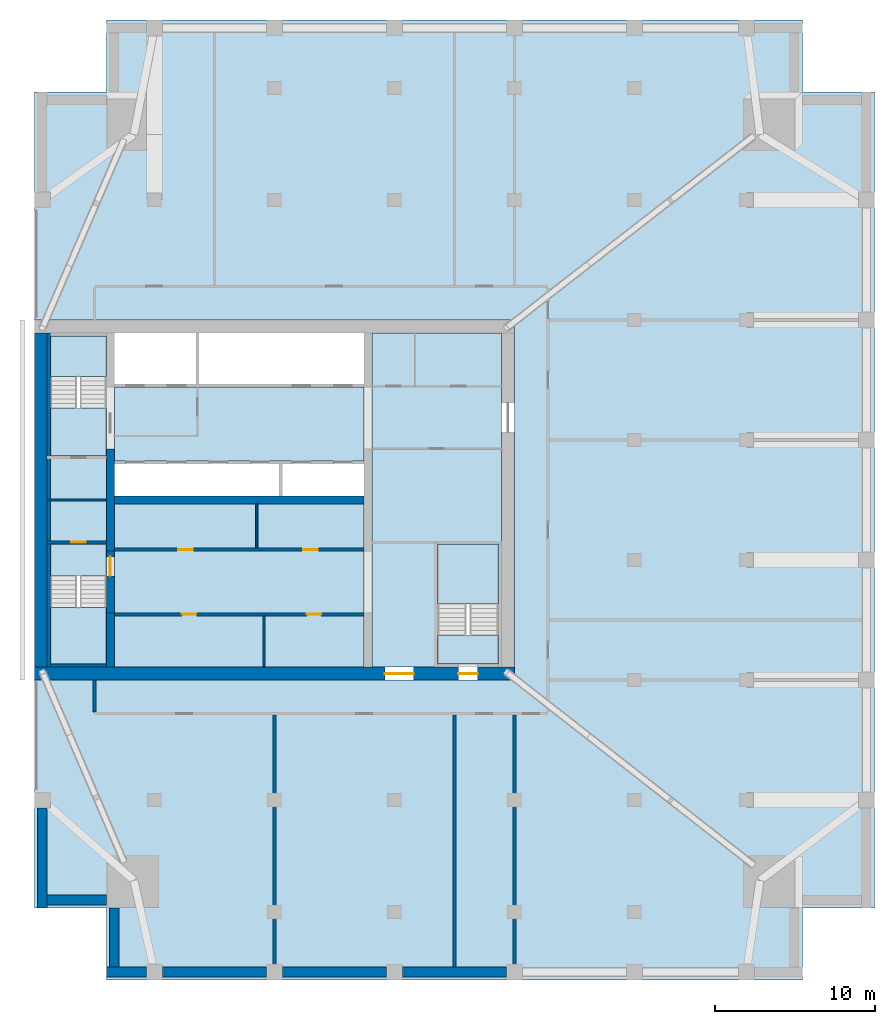
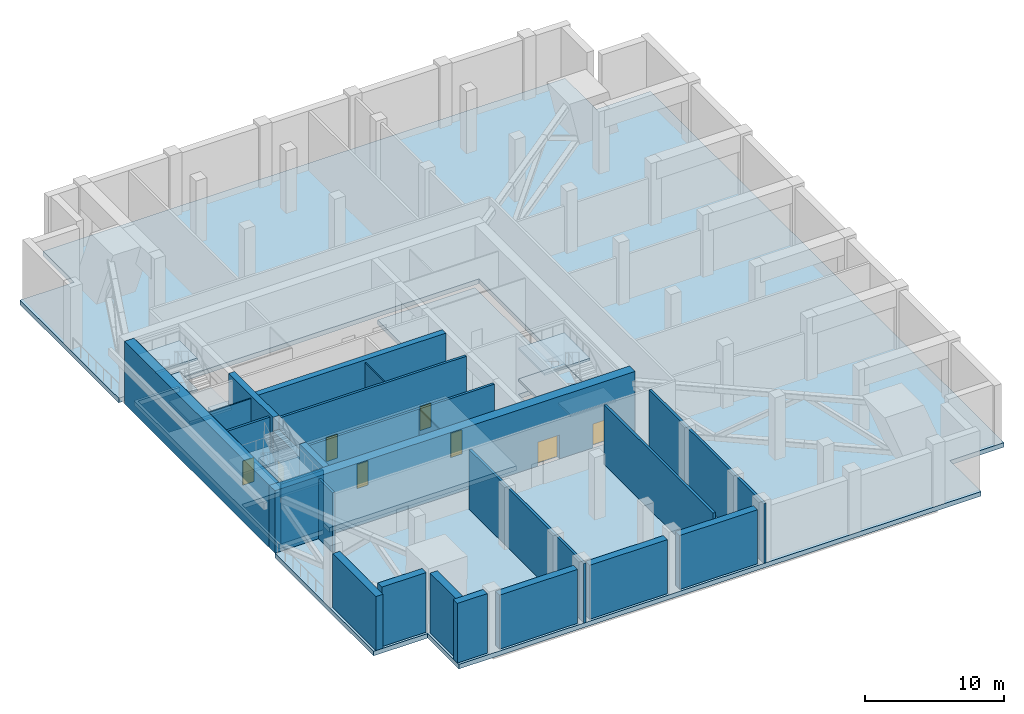
# One storey, part 2 of 9: 25 walls, 13 slabs, 8 doors, 8 openings, 3 elements without a shape of their own.
"""IFC4 building model written with IfcOpenShell, lengths in metres."""

from ifc_helpers import new_model, si_unit, direction, frame, frame_2d, origin, place, context, subcontext, project, spatial, polyline, rectangle, outline, extrude, material, layer, layer_set, type_object, element, fill, aggregate, save


model = new_model("IFC4")

# Units and contexts
model_context = context("Model", 3, precision=1e-05, world=origin(), true_north=direction((0.0, 1.0)))
body_context = subcontext(model_context, "Body", "Model", "MODEL_VIEW")
ifc_project = project(units=[si_unit("LENGTHUNIT", "METRE"), si_unit("AREAUNIT", "SQUARE_METRE"), si_unit("VOLUMEUNIT", "CUBIC_METRE"), si_unit("PLANEANGLEUNIT", "RADIAN"), si_unit("MASSUNIT", "GRAM", prefix="KILO")], contexts=[model_context])

# Site, building, storey
site_placement = place(None, origin())
site = spatial("IfcSite", under=ifc_project, at=site_placement, CompositionType="ELEMENT")
building_placement = place(site_placement, origin())
building = spatial("IfcBuilding", under=site, at=building_placement, Name="Tamorin Gate", CompositionType="ELEMENT")
storey_placement = place(building_placement, frame((0.0, 0.0, 214.199951171875)))
storey = spatial("IfcBuildingStorey", under=building, at=storey_placement, Name="L53", CompositionType="ELEMENT", Elevation=214.199951171875)

# Slabs
ifc_material_1 = material(Name="Concrete C40/50", Category="concrete")
ifc_layer_1 = layer(ifc_material_1, 0.409912109375)
ifc_layer_set_1 = layer_set([ifc_layer_1], Name="Core floor slab 410 C40/50")
slab_type_1 = type_object("IfcSlabType", Name="Core floor slab 410 C40/50", PredefinedType="FLOOR", material=ifc_layer_set_1)
slab_1_placement = place(storey_placement, frame((0.0, 0.0, -0.409912109375)))
element("IfcSlab", 1, at=slab_1_placement, inside=storey, type_object=slab_type_1, Name="Core floor L53", PredefinedType="FLOOR", context=body_context, shape_type="SweptSolid", body=[
    extrude(outline(polyline([(51.10009765625, 81.699951171875), (59.199951171875, 81.699951171875), (59.199951171875, 60.800048828125), (51.10009765625, 60.800048828125), (51.10009765625, 81.699951171875)]), holes=[polyline([(55.199951171875, 62.800048828125), (59.0, 62.800048828125), (59.0, 68.5), (55.199951171875, 68.5), (55.199951171875, 62.800048828125)])]), origin(), (0.0, 0.0, 1.0), 0.409912109375),
])
slab_2_placement = place(storey_placement, frame((0.0, 0.0, -0.409912109375)))
element("IfcSlab", 2, at=slab_2_placement, inside=storey, type_object=slab_type_1, Name="Core floor L53", PredefinedType="FLOOR", context=body_context, shape_type="SweptSolid", body=[
    extrude(outline(polyline([(50.60009765625, 71.0), (50.60009765625, 60.800048828125), (35.0, 60.800048828125), (35.0, 71.0), (50.60009765625, 71.0)])), origin(), (0.0, 0.0, 1.0), 0.409912109375),
])
slab_3_placement = place(storey_placement, frame((0.0, 0.0, -0.409912109375)))
element("IfcSlab", 3, at=slab_3_placement, inside=storey, type_object=slab_type_1, Name="Core floor L53", PredefinedType="FLOOR", context=body_context, shape_type="SweptSolid", body=[
    extrude(outline(polyline([(50.60009765625, 73.699951171875), (35.0, 73.699951171875), (35.0, 78.300048828125), (50.60009765625, 78.300048828125), (50.60009765625, 73.699951171875)])), origin(), (0.0, 0.0, 1.0), 0.409912109375),
])
slab_4_placement = place(storey_placement, frame((0.0, 0.0, -0.409912109375)))
element("IfcSlab", 4, at=slab_4_placement, inside=storey, type_object=slab_type_1, Name="Core floor L53", PredefinedType="FLOOR", context=body_context, shape_type="SweptSolid", body=[
    extrude(outline(polyline([(34.5, 60.800048828125), (30.800048828125, 60.800048828125), (30.800048828125, 81.699951171875), (34.5, 81.699951171875), (34.5, 81.5), (31.0, 81.5), (31.0, 77.0), (34.5, 77.0), (34.5, 66.5), (31.0, 66.5), (31.0, 61.0), (34.5, 61.0), (34.5, 60.800048828125)])), origin(), (0.0, 0.0, 1.0), 0.409912109375),
])

# Stair, slabs
stair_type = type_object("IfcStairType", Name="Exit stair", PredefinedType="HALF_TURN_STAIR", material=ifc_material_1)
stair_1_placement = place(storey_placement, origin())
stair_1 = element("IfcStair", 5, at=stair_1_placement, inside=storey, type_object=stair_type, Name="L53 stair ST1", PredefinedType="HALF_TURN_STAIR")
ifc_layer_2 = layer(ifc_material_1, 0.199951171875)
ifc_layer_set_2 = layer_set([ifc_layer_2], Name="Exit stair landing 200")
slab_type_2 = type_object("IfcSlabType", Name="Exit stair landing 200", PredefinedType="LANDING", material=ifc_layer_set_2)
slab_5_placement = place(storey_placement, frame((0.0, 0.0, 2.550048828125)))
slab_5 = element("IfcSlab", 6, at=slab_5_placement, type_object=slab_type_2, Name="ST1 landing 2", PredefinedType="LANDING", context=body_context, shape_type="SweptSolid", body=[
    extrude(outline(polyline([(31.0, 68.5), (31.0, 66.5), (34.5, 66.5), (34.5, 68.5), (31.0, 68.5)])), origin(), (0.0, 0.0, 1.0), 0.199951171875),
])
slab_6_placement = place(storey_placement, frame((0.0, 0.0, 3.925048828125)))
slab_6 = element("IfcSlab", 7, at=slab_6_placement, type_object=slab_type_2, Name="ST1 landing 3", PredefinedType="LANDING", context=body_context, shape_type="SweptSolid", body=[
    extrude(outline(polyline([(31.0, 64.5400390625), (31.0, 61.0), (34.5, 61.0), (34.5, 64.5400390625), (31.0, 64.5400390625)])), origin(), (0.0, 0.0, 1.0), 0.199951171875),
])
aggregate(stair_1, [slab_5, slab_6])

stair_2_placement = place(storey_placement, origin())
stair_2 = element("IfcStair", 8, at=stair_2_placement, inside=storey, type_object=stair_type, Name="L53 stair ST2", PredefinedType="HALF_TURN_STAIR")
slab_7_placement = place(storey_placement, frame((0.0, 0.0, 1.175048828125)))
slab_7 = element("IfcSlab", 9, at=slab_7_placement, type_object=slab_type_2, Name="ST2 landing 1", PredefinedType="LANDING", context=body_context, shape_type="SweptSolid", body=[
    extrude(outline(polyline([(34.5, 78.9599609375), (34.5, 81.5), (31.0, 81.5), (31.0, 78.9599609375), (34.5, 78.9599609375)])), origin(), (0.0, 0.0, 1.0), 0.199951171875),
])
slab_8_placement = place(storey_placement, frame((0.0, 0.0, 2.550048828125)))
slab_8 = element("IfcSlab", 10, at=slab_8_placement, type_object=slab_type_2, Name="ST2 landing 2", PredefinedType="LANDING", context=body_context, shape_type="SweptSolid", body=[
    extrude(outline(polyline([(34.5, 74.0), (34.5, 77.0), (31.0, 77.0), (31.0, 74.0), (34.5, 74.0)])), origin(), (0.0, 0.0, 1.0), 0.199951171875),
])
slab_9_placement = place(storey_placement, frame((0.0, 0.0, 3.925048828125)))
slab_9 = element("IfcSlab", 11, at=slab_9_placement, type_object=slab_type_2, Name="ST2 landing 3", PredefinedType="LANDING", context=body_context, shape_type="SweptSolid", body=[
    extrude(outline(polyline([(34.5, 78.9599609375), (34.5, 81.5), (31.0, 81.5), (31.0, 78.9599609375), (34.5, 78.9599609375)])), origin(), (0.0, 0.0, 1.0), 0.199951171875),
])
aggregate(stair_2, [slab_7, slab_8, slab_9])

stair_3_placement = place(storey_placement, origin())
stair_3 = element("IfcStair", 12, at=stair_3_placement, inside=storey, type_object=stair_type, Name="L53 stair ST3", PredefinedType="HALF_TURN_STAIR")
slab_10_placement = place(storey_placement, frame((0.0, 0.0, 1.175048828125)))
slab_10 = element("IfcSlab", 13, at=slab_10_placement, type_object=slab_type_2, Name="ST3 landing 1", PredefinedType="LANDING", context=body_context, shape_type="SweptSolid", body=[
    extrude(outline(polyline([(59.0, 64.760009765625), (59.0, 68.5), (55.199951171875, 68.5), (55.199951171875, 64.760009765625), (59.0, 64.760009765625)])), origin(), (0.0, 0.0, 1.0), 0.199951171875),
])
slab_11_placement = place(storey_placement, frame((0.0, 0.0, 2.550048828125)))
slab_11 = element("IfcSlab", 14, at=slab_11_placement, type_object=slab_type_2, Name="ST3 landing 2", PredefinedType="LANDING", context=body_context, shape_type="SweptSolid", body=[
    extrude(outline(polyline([(59.0, 61.0), (59.0, 62.800048828125), (55.199951171875, 62.800048828125), (55.199951171875, 61.0), (59.0, 61.0)])), origin(), (0.0, 0.0, 1.0), 0.199951171875),
])
slab_12_placement = place(storey_placement, frame((0.0, 0.0, 3.925048828125)))
slab_12 = element("IfcSlab", 15, at=slab_12_placement, type_object=slab_type_2, Name="ST3 landing 3", PredefinedType="LANDING", context=body_context, shape_type="SweptSolid", body=[
    extrude(outline(polyline([(59.0, 64.760009765625), (59.0, 68.5), (55.199951171875, 68.5), (55.199951171875, 64.760009765625), (59.0, 64.760009765625)])), origin(), (0.0, 0.0, 1.0), 0.199951171875),
])
aggregate(stair_3, [slab_10, slab_11, slab_12])

# Slab
ifc_material_2 = material(Name="Concrete C45/55", Category="concrete")
ifc_layer_3 = layer(ifc_material_2, 0.39990234375)
ifc_layer_set_3 = layer_set([ifc_layer_3], Name="Floor slab 400 C45/55")
slab_type_3 = type_object("IfcSlabType", Name="Floor slab 400 C45/55", PredefinedType="FLOOR", material=ifc_layer_set_3)
slab_13_placement = place(storey_placement, frame((0.0, 0.0, -0.39990234375)))
element("IfcSlab", 16, at=slab_13_placement, inside=storey, type_object=slab_type_3, Name="Floor L53", PredefinedType="FLOOR", context=body_context, shape_type="SweptSolid", body=[
    extrude(outline(polyline([(30.0, 96.75), (34.5, 96.75), (34.5, 101.25), (78.0, 101.25), (78.0, 96.75), (82.5, 96.75), (82.5, 45.75), (78.0, 45.75), (78.0, 41.25), (34.5, 41.25), (34.5, 45.75), (30.0, 45.75), (30.0, 60.0), (60.0, 60.0), (60.0, 82.5), (30.0, 82.5), (30.0, 96.75)])), origin(), (0.0, 0.0, 1.0), 0.39990234375),
])

# Walls
ifc_material_3 = material(Name="Aluminium louvres in concrete frame", Category="concrete")
ifc_layer_4 = layer(ifc_material_3, 0.60009765625)
ifc_layer_set_4 = layer_set([ifc_layer_4], Name="Louvred plant wall 600")
wall_type_1 = type_object("IfcWallType", Name="Louvred plant wall 600", PredefinedType="ELEMENTEDWALL", material=ifc_layer_set_4)
wall_1_placement = place(storey_placement, frame((34.5, 41.75, 0.0), z_axis=(0.0, 0.0, 1.0), x_axis=(1.0, 0.0, 0.0)))
element("IfcWall", 17, at=wall_1_placement, inside=storey, type_object=wall_type_1, Name="Louvred plant wall", PredefinedType="ELEMENTEDWALL", context=body_context, shape_type="SweptSolid", body=[
    extrude(rectangle(XDim=2.5, YDim=0.60009765625, at=frame_2d((1.25, 0.0))), origin(), (0.0, 0.0, 1.0), 5.25),
])
for number, where, z_axis, x_axis, name in (
    (18, (38.0, 41.75, 0.0), (0.0, 0.0, 1.0), (1.0, 0.0, 0.0), "Louvred plant wall"),
    (19, (45.5, 41.75, 0.0), (0.0, 0.0, 1.0), (1.0, 0.0, 0.0), "Louvred plant wall"),
    (20, (53.0, 41.75, 0.0), (0.0, 0.0, 1.0), (1.0, 0.0, 0.0), "Louvred plant wall"),
):
    element("IfcWall", number, at=place(storey_placement, frame(where, z_axis=z_axis, x_axis=x_axis)), inside=storey, type_object=wall_type_1, Name=name, PredefinedType="ELEMENTEDWALL", context=body_context, shape_type="SweptSolid", body=[
        extrude(rectangle(XDim=6.5, YDim=0.60009765625, at=frame_2d((3.25, 0.0))), origin(), (0.0, 0.0, 1.0), 4.75),
    ])
wall_2_placement = place(storey_placement, frame((30.5, 52.0, 0.0), z_axis=(0.0, 0.0, 1.0), x_axis=(0.0, -1.0, 0.0)))
element("IfcWall", 21, at=wall_2_placement, inside=storey, type_object=wall_type_1, Name="Louvred plant wall", PredefinedType="ELEMENTEDWALL", context=body_context, shape_type="SweptSolid", body=[
    extrude(rectangle(XDim=6.25, YDim=0.60009765625, at=frame_2d((3.125, 0.0))), origin(), (0.0, 0.0, 1.0), 4.75),
])
for number, where, z_axis, x_axis, name in (
    (22, (30.800048828125, 46.25, 0.0), (0.0, 0.0, 1.0), (1.0, 0.0, 0.0), "Louvred plant wall"),
    (23, (35.0, 45.75, 0.0), (0.0, 0.0, 1.0), (0.0, -1.0, 0.0), "Louvred plant wall"),
):
    element("IfcWall", number, at=place(storey_placement, frame(where, z_axis=z_axis, x_axis=x_axis)), inside=storey, type_object=wall_type_1, Name=name, PredefinedType="ELEMENTEDWALL", context=body_context, shape_type="SweptSolid", body=[
        extrude(rectangle(XDim=3.699951171875, YDim=0.60009765625, at=frame_2d((1.85009765625, 0.0))), origin(), (0.0, 0.0, 1.0), 5.25),
    ])
ifc_material_4 = material(Name="Gypsum board partition")
ifc_layer_5 = layer(ifc_material_4, 0.199951171875)
ifc_layer_set_5 = layer_set([ifc_layer_5], Name="Plant and refuge wall 200")
wall_type_2 = type_object("IfcWallType", Name="Plant and refuge wall 200", PredefinedType="PARTITIONING", material=ifc_layer_set_5)
wall_3_placement = place(storey_placement, frame((33.75, 58.0, 0.0), z_axis=(0.0, 0.0, 1.0), x_axis=(0.0, 1.0, 0.0)))
element("IfcWall", 24, at=wall_3_placement, inside=storey, type_object=wall_type_2, Name="Plant and refuge wall 200", PredefinedType="PARTITIONING", context=body_context, shape_type="SweptSolid", body=[
    extrude(rectangle(XDim=2.0, YDim=0.199951171875, at=frame_2d((1.0, 0.0))), origin(), (0.0, 0.0, 1.0), 5.25),
])
wall_4_placement = place(storey_placement, frame((45.0, 41.25, 0.0), z_axis=(0.0, 0.0, 1.0), x_axis=(0.0, 1.0, 0.0)))
element("IfcWall", 25, at=wall_4_placement, inside=storey, type_object=wall_type_2, Name="Plant and refuge wall 200", PredefinedType="PARTITIONING", context=body_context, shape_type="SweptSolid", body=[
    extrude(rectangle(XDim=16.550048828125, YDim=0.199951171875, at=frame_2d((8.27490234375, 0.0))), origin(), (0.0, 0.0, 1.0), 5.25),
])
wall_5_placement = place(storey_placement, frame((56.25, 42.06005859375, 0.0), z_axis=(0.0, 0.0, 1.0), x_axis=(0.0, 1.0, 0.0)))
element("IfcWall", 26, at=wall_5_placement, inside=storey, type_object=wall_type_2, Name="Plant and refuge wall 200", PredefinedType="PARTITIONING", context=body_context, shape_type="SweptSolid", body=[
    extrude(rectangle(XDim=15.739990234375, YDim=0.199951171875, at=frame_2d((7.8701171875, 0.0))), origin(), (0.0, 0.0, 1.0), 5.25),
])
wall_6_placement = place(storey_placement, frame((60.0, 41.25, 0.0), z_axis=(0.0, 0.0, 1.0), x_axis=(0.0, 1.0, 0.0)))
element("IfcWall", 27, at=wall_6_placement, inside=storey, type_object=wall_type_2, Name="Plant and refuge wall 200", PredefinedType="PARTITIONING", context=body_context, shape_type="SweptSolid", body=[
    extrude(rectangle(XDim=16.550048828125, YDim=0.199951171875, at=frame_2d((8.27490234375, 0.0))), origin(), (0.0, 0.0, 1.0), 5.25),
])
ifc_material_5 = material(Name="Concrete C60/75", Category="concrete")
ifc_layer_6 = layer(ifc_material_5, 0.5)
ifc_layer_set_6 = layer_set([ifc_layer_6], Name="RC core internal wall 500 C60/75")
wall_type_3 = type_object("IfcWallType", Name="RC core internal wall 500 C60/75", PredefinedType="SHEAR", material=ifc_layer_set_6)
wall_7_placement = place(storey_placement, frame((35.0, 71.25, 0.0), z_axis=(0.0, 0.0, 1.0), x_axis=(1.0, 0.0, 0.0)))
element("IfcWall", 28, at=wall_7_placement, inside=storey, type_object=wall_type_3, Name="Core spine wall L53", PredefinedType="SHEAR", context=body_context, shape_type="SweptSolid", body=[
    extrude(rectangle(XDim=15.60009765625, YDim=0.5, at=frame_2d((7.800048828125, 0.0))), origin(), (0.0, 0.0, 1.0), 5.5),
])
wall_8_placement = place(storey_placement, frame((34.75, 60.800048828125, 0.0), z_axis=(0.0, 0.0, 1.0), x_axis=(0.0, 1.0, 0.0)))
element("IfcWall", 29, at=wall_8_placement, inside=storey, type_object=wall_type_3, Name="Core cross wall L53", PredefinedType="SHEAR", context=body_context, shape_type="SweptSolid", body=[
    extrude(rectangle(XDim=3.39990234375, YDim=0.5, at=frame_2d((1.699951171875, 0.0))), origin(), (0.0, 0.0, 1.0), 5.5),
])
wall_9_placement = place(storey_placement, frame((34.75, 68.050048828125, 0.0), z_axis=(0.0, 0.0, 1.0), x_axis=(0.0, 1.0, 0.0)))
element("IfcWall", 30, at=wall_9_placement, inside=storey, type_object=wall_type_3, Name="Core cross wall L53", PredefinedType="SHEAR", context=body_context, shape_type="SweptSolid", body=[
    extrude(rectangle(XDim=6.39990234375, YDim=0.5, at=frame_2d((3.199951171875, 0.0))), origin(), (0.0, 0.0, 1.0), 5.5),
])

# Wall, openings, doors
ifc_layer_7 = layer(ifc_material_5, 0.800048828125)
ifc_layer_set_7 = layer_set([ifc_layer_7], Name="RC core wall 800 C60/75")
wall_type_4 = type_object("IfcWallType", Name="RC core wall 800 C60/75", PredefinedType="SHEAR", material=ifc_layer_set_7)
wall_10_placement = place(storey_placement, frame((30.0, 60.39990234375, 0.0), z_axis=(0.0, 0.0, 1.0), x_axis=(1.0, 0.0, 0.0)))
wall_10 = element("IfcWall", 31, at=wall_10_placement, inside=storey, type_object=wall_type_4, Name="Core wall L53", PredefinedType="SHEAR", context=body_context, shape_type="SweptSolid", body=[
    extrude(rectangle(XDim=30.0, YDim=0.800048828125, at=frame_2d((15.0, 0.0))), origin(), (0.0, 0.0, 1.0), 5.5),
])
opening_1_placement = place(wall_10_placement, frame((21.89990234375, 0.0, 0.0)))
opening_1 = element("IfcOpeningElement", 32, at=opening_1_placement, cuts=wall_10, Name="Opening DE1", PredefinedType="OPENING", context=body_context, shape_type="SweptSolid", body=[
    extrude(rectangle(XDim=1.800048828125, YDim=2.10009765625, at=frame_2d((0.89990234375, 1.050048828125))), frame((0.0, 0.409912109375, 0.0), z_axis=(0.0, -1.0, 0.0), x_axis=(1.0, 0.0, 0.0)), (0.0, 0.0, 1.0), 0.820068359375),
])
opening_2_placement = place(wall_10_placement, frame((26.5, 0.0, 0.0)))
opening_2 = element("IfcOpeningElement", 33, at=opening_2_placement, cuts=wall_10, Name="Opening DS1", PredefinedType="OPENING", context=body_context, shape_type="SweptSolid", body=[
    extrude(rectangle(XDim=1.199951171875, YDim=2.10009765625, at=frame_2d((0.60009765625, 1.050048828125))), frame((0.0, 0.409912109375, 0.0), z_axis=(0.0, -1.0, 0.0), x_axis=(1.0, 0.0, 0.0)), (0.0, 0.0, 1.0), 0.820068359375),
])
ifc_material_6 = material(Name="Steel fire door", Category="steel")
door_type_1 = type_object("IfcDoorType", Name="Lobby exit double door 1800 x 2100 EI 60", OperationType="DOUBLE_DOOR_SINGLE_SWING", PredefinedType="DOOR", material=ifc_material_6)
door_1_placement = place(opening_1_placement, origin())
door_1 = element("IfcDoor", 34, at=door_1_placement, inside=storey, type_object=door_type_1, Name="Lift lobby A exit door", OperationType="DOUBLE_DOOR_SINGLE_SWING", OverallHeight=2.10009765625, OverallWidth=1.800048828125, PredefinedType="DOOR", context=body_context, shape_type="SweptSolid", body=[
    extrude(rectangle(XDim=1.800048828125, YDim=2.10009765625, at=frame_2d((0.89990234375, 1.050048828125))), frame((0.0, 0.02490234375, 0.0), z_axis=(0.0, -1.0, 0.0), x_axis=(1.0, 0.0, 0.0)), (0.0, 0.0, 1.0), 0.050048828125),
])
fill(opening_1, door_1)
door_type_2 = type_object("IfcDoorType", Name="Stair door 1200 x 2100 EI 90", OperationType="SINGLE_SWING_LEFT", PredefinedType="DOOR", material=ifc_material_6)
door_2_placement = place(opening_2_placement, origin())
door_2 = element("IfcDoor", 35, at=door_2_placement, inside=storey, type_object=door_type_2, Name="ST3 door", OperationType="SINGLE_SWING_LEFT", OverallHeight=2.10009765625, OverallWidth=1.199951171875, PredefinedType="DOOR", context=body_context, shape_type="SweptSolid", body=[
    extrude(rectangle(XDim=1.199951171875, YDim=2.10009765625, at=frame_2d((0.60009765625, 1.050048828125))), frame((0.0, 0.02490234375, 0.0), z_axis=(0.0, -1.0, 0.0), x_axis=(1.0, 0.0, 0.0)), (0.0, 0.0, 1.0), 0.050048828125),
])
fill(opening_2, door_2)

# Walls
wall_11_placement = place(storey_placement, frame((30.39990234375, 60.800048828125, 0.0), z_axis=(0.0, 0.0, 1.0), x_axis=(0.0, 1.0, 0.0)))
element("IfcWall", 36, at=wall_11_placement, inside=storey, type_object=wall_type_4, Name="Core wall L53", PredefinedType="SHEAR", context=body_context, shape_type="SweptSolid", body=[
    extrude(rectangle(XDim=20.89990234375, YDim=0.800048828125, at=frame_2d((10.449951171875, 0.0))), origin(), (0.0, 0.0, 1.0), 5.5),
])
ifc_material_7 = material(Name="Fire-rated gypsum board partition")
ifc_layer_8 = layer(ifc_material_7, 0.10009765625)
ifc_layer_set_8 = layer_set([ifc_layer_8], Name="Riser partition 100 EI 120")
wall_type_5 = type_object("IfcWallType", Name="Riser partition 100 EI 120", PredefinedType="PARTITIONING", material=ifc_layer_set_8)
wall_12_placement = place(storey_placement, frame((30.800048828125, 71.25, 0.0), z_axis=(0.0, 0.0, 1.0), x_axis=(1.0, 0.0, 0.0)))
element("IfcWall", 37, at=wall_12_placement, inside=storey, type_object=wall_type_5, Name="Riser partition", PredefinedType="PARTITIONING", context=body_context, shape_type="SweptSolid", body=[
    extrude(rectangle(XDim=3.699951171875, YDim=0.10009765625, at=frame_2d((1.85009765625, 0.0))), origin(), (0.0, 0.0, 1.0), 5.25),
])

# Wall, openings, doors
ifc_layer_9 = layer(ifc_material_4, 0.199951171875)
ifc_layer_set_9 = layer_set([ifc_layer_9], Name="Service room face wall 200 EI 60")
wall_type_6 = type_object("IfcWallType", Name="Service room face wall 200 EI 60", PredefinedType="PARTITIONING", material=ifc_layer_set_9)
wall_13_placement = place(storey_placement, frame((35.0, 64.10009765625, 0.0), z_axis=(0.0, 0.0, 1.0), x_axis=(1.0, 0.0, 0.0)))
wall_13 = element("IfcWall", 38, at=wall_13_placement, inside=storey, type_object=wall_type_6, Name="Service room face wall", PredefinedType="PARTITIONING", context=body_context, shape_type="SweptSolid", body=[
    extrude(rectangle(XDim=15.60009765625, YDim=0.199951171875, at=frame_2d((7.800048828125, 0.0))), origin(), (0.0, 0.0, 1.0), 5.25),
])
opening_3_placement = place(wall_13_placement, frame((4.22509765625, 0.0, 0.0)))
opening_3 = element("IfcOpeningElement", 39, at=opening_3_placement, cuts=wall_13, Name="Opening DK1", PredefinedType="OPENING", context=body_context, shape_type="SweptSolid", body=[
    extrude(rectangle(XDim=0.89990234375, YDim=2.10009765625, at=frame_2d((0.449951171875, 1.050048828125))), frame((0.0, 0.10986328125, 0.0), z_axis=(0.0, -1.0, 0.0), x_axis=(1.0, 0.0, 0.0)), (0.0, 0.0, 1.0), 0.219970703125),
])
opening_4_placement = place(wall_13_placement, frame((12.02490234375, 0.0, 0.0)))
opening_4 = element("IfcOpeningElement", 40, at=opening_4_placement, cuts=wall_13, Name="Opening DK1", PredefinedType="OPENING", context=body_context, shape_type="SweptSolid", body=[
    extrude(rectangle(XDim=0.89990234375, YDim=2.10009765625, at=frame_2d((0.449951171875, 1.050048828125))), frame((0.0, 0.10986328125, 0.0), z_axis=(0.0, -1.0, 0.0), x_axis=(1.0, 0.0, 0.0)), (0.0, 0.0, 1.0), 0.219970703125),
])
ifc_material_8 = material(Name="Timber fire door", Category="wood")
door_type_3 = type_object("IfcDoorType", Name="Service room door 900 x 2100 EI 60", OperationType="SINGLE_SWING_LEFT", PredefinedType="DOOR", material=ifc_material_8)
door_3_placement = place(opening_3_placement, origin())
door_3 = element("IfcDoor", 41, at=door_3_placement, inside=storey, type_object=door_type_3, Name="Door Telecom room", OperationType="SINGLE_SWING_LEFT", OverallHeight=2.10009765625, OverallWidth=0.89990234375, PredefinedType="DOOR", context=body_context, shape_type="SweptSolid", body=[
    extrude(rectangle(XDim=0.89990234375, YDim=2.10009765625, at=frame_2d((0.449951171875, 1.050048828125))), frame((0.0, 0.02490234375, 0.0), z_axis=(0.0, -1.0, 0.0), x_axis=(1.0, 0.0, 0.0)), (0.0, 0.0, 1.0), 0.050048828125),
])
fill(opening_3, door_3)
door_4_placement = place(opening_4_placement, origin())
door_4 = element("IfcDoor", 42, at=door_4_placement, inside=storey, type_object=door_type_3, Name="Door Pump room", OperationType="SINGLE_SWING_RIGHT", OverallHeight=2.10009765625, OverallWidth=0.89990234375, PredefinedType="DOOR", context=body_context, shape_type="SweptSolid", body=[
    extrude(rectangle(XDim=0.89990234375, YDim=2.10009765625, at=frame_2d((0.449951171875, 1.050048828125))), frame((0.0, 0.02490234375, 0.0), z_axis=(0.0, -1.0, 0.0), x_axis=(1.0, 0.0, 0.0)), (0.0, 0.0, 1.0), 0.050048828125),
])
fill(opening_4, door_4)

wall_14_placement = place(storey_placement, frame((35.0, 68.14990234375, 0.0), z_axis=(0.0, 0.0, 1.0), x_axis=(1.0, 0.0, 0.0)))
wall_14 = element("IfcWall", 43, at=wall_14_placement, inside=storey, type_object=wall_type_6, Name="Service room face wall", PredefinedType="PARTITIONING", context=body_context, shape_type="SweptSolid", body=[
    extrude(rectangle(XDim=15.60009765625, YDim=0.199951171875, at=frame_2d((7.800048828125, 0.0))), origin(), (0.0, 0.0, 1.0), 5.25),
])
opening_5_placement = place(wall_14_placement, frame((4.0, 0.0, 0.0)))
opening_5 = element("IfcOpeningElement", 44, at=opening_5_placement, cuts=wall_14, Name="Opening DK1", PredefinedType="OPENING", context=body_context, shape_type="SweptSolid", body=[
    extrude(rectangle(XDim=0.89990234375, YDim=2.10009765625, at=frame_2d((0.449951171875, 1.050048828125))), frame((0.0, 0.10986328125, 0.0), z_axis=(0.0, -1.0, 0.0), x_axis=(1.0, 0.0, 0.0)), (0.0, 0.0, 1.0), 0.219970703125),
])
opening_6_placement = place(wall_14_placement, frame((11.800048828125, 0.0, 0.0)))
opening_6 = element("IfcOpeningElement", 45, at=opening_6_placement, cuts=wall_14, Name="Opening DK1", PredefinedType="OPENING", context=body_context, shape_type="SweptSolid", body=[
    extrude(rectangle(XDim=0.89990234375, YDim=2.10009765625, at=frame_2d((0.449951171875, 1.050048828125))), frame((0.0, 0.10986328125, 0.0), z_axis=(0.0, -1.0, 0.0), x_axis=(1.0, 0.0, 0.0)), (0.0, 0.0, 1.0), 0.219970703125),
])
door_5_placement = place(opening_5_placement, origin())
door_5 = element("IfcDoor", 46, at=door_5_placement, inside=storey, type_object=door_type_3, Name="Door Cooling riser room", OperationType="SINGLE_SWING_LEFT", OverallHeight=2.10009765625, OverallWidth=0.89990234375, PredefinedType="DOOR", context=body_context, shape_type="SweptSolid", body=[
    extrude(rectangle(XDim=0.89990234375, YDim=2.10009765625, at=frame_2d((0.449951171875, 1.050048828125))), frame((0.0, 0.02490234375, 0.0), z_axis=(0.0, -1.0, 0.0), x_axis=(1.0, 0.0, 0.0)), (0.0, 0.0, 1.0), 0.050048828125),
])
fill(opening_5, door_5)
door_6_placement = place(opening_6_placement, origin())
door_6 = element("IfcDoor", 47, at=door_6_placement, inside=storey, type_object=door_type_3, Name="Door Smoke extract riser room", OperationType="SINGLE_SWING_RIGHT", OverallHeight=2.10009765625, OverallWidth=0.89990234375, PredefinedType="DOOR", context=body_context, shape_type="SweptSolid", body=[
    extrude(rectangle(XDim=0.89990234375, YDim=2.10009765625, at=frame_2d((0.449951171875, 1.050048828125))), frame((0.0, 0.02490234375, 0.0), z_axis=(0.0, -1.0, 0.0), x_axis=(1.0, 0.0, 0.0)), (0.0, 0.0, 1.0), 0.050048828125),
])
fill(opening_6, door_6)

# Walls
ifc_layer_10 = layer(ifc_material_4, 0.10009765625)
ifc_layer_set_10 = layer_set([ifc_layer_10], Name="Service room partition 100 EI 60")
wall_type_7 = type_object("IfcWallType", Name="Service room partition 100 EI 60", PredefinedType="PARTITIONING", material=ifc_layer_set_10)
wall_15_placement = place(storey_placement, frame((44.35009765625, 60.800048828125, 0.0), z_axis=(0.0, 0.0, 1.0), x_axis=(0.0, 1.0, 0.0)))
element("IfcWall", 48, at=wall_15_placement, inside=storey, type_object=wall_type_7, Name="Service room partition", PredefinedType="PARTITIONING", context=body_context, shape_type="SweptSolid", body=[
    extrude(rectangle(XDim=3.199951171875, YDim=0.10009765625, at=frame_2d((1.60009765625, 0.0))), origin(), (0.0, 0.0, 1.0), 5.25),
])
wall_16_placement = place(storey_placement, frame((43.89990234375, 68.25, 0.0), z_axis=(0.0, 0.0, 1.0), x_axis=(0.0, 1.0, 0.0)))
element("IfcWall", 49, at=wall_16_placement, inside=storey, type_object=wall_type_7, Name="Service room partition", PredefinedType="PARTITIONING", context=body_context, shape_type="SweptSolid", body=[
    extrude(rectangle(XDim=2.75, YDim=0.10009765625, at=frame_2d((1.375, 0.0))), origin(), (0.0, 0.0, 1.0), 5.25),
])

# Wall, opening, door
ifc_layer_11 = layer(ifc_material_1, 0.199951171875)
ifc_layer_set_11 = layer_set([ifc_layer_11], Name="Stair enclosure wall 200 EI 120 C40/50")
wall_type_8 = type_object("IfcWallType", Name="Stair enclosure wall 200 EI 120 C40/50", PredefinedType="SOLIDWALL", material=ifc_layer_set_11)
wall_17_placement = place(storey_placement, frame((30.800048828125, 68.60009765625, 0.0), z_axis=(0.0, 0.0, 1.0), x_axis=(1.0, 0.0, 0.0)))
wall_17 = element("IfcWall", 50, at=wall_17_placement, inside=storey, type_object=wall_type_8, Name="Stair enclosure wall", PredefinedType="SOLIDWALL", context=body_context, shape_type="SweptSolid", body=[
    extrude(rectangle(XDim=3.699951171875, YDim=0.199951171875, at=frame_2d((1.85009765625, 0.0))), origin(), (0.0, 0.0, 1.0), 5.25),
])
opening_7_placement = place(wall_17_placement, frame((1.5, 0.0, 0.0)))
opening_7 = element("IfcOpeningElement", 51, at=opening_7_placement, cuts=wall_17, Name="Opening DR1", PredefinedType="OPENING", context=body_context, shape_type="SweptSolid", body=[
    extrude(rectangle(XDim=0.89990234375, YDim=2.10009765625, at=frame_2d((0.449951171875, 1.050048828125))), frame((0.0, 0.10986328125, 0.0), z_axis=(0.0, -1.0, 0.0), x_axis=(1.0, 0.0, 0.0)), (0.0, 0.0, 1.0), 0.219970703125),
])
door_type_4 = type_object("IfcDoorType", Name="Riser access door 900 x 2100 EI 120", OperationType="SINGLE_SWING_LEFT", PredefinedType="DOOR", material=ifc_material_6)
door_7_placement = place(opening_7_placement, origin())
door_7 = element("IfcDoor", 52, at=door_7_placement, inside=storey, type_object=door_type_4, Name="Electrical riser door", OperationType="SINGLE_SWING_LEFT", OverallHeight=2.10009765625, OverallWidth=0.89990234375, PredefinedType="DOOR", context=body_context, shape_type="SweptSolid", body=[
    extrude(rectangle(XDim=0.89990234375, YDim=2.10009765625, at=frame_2d((0.449951171875, 1.050048828125))), frame((0.0, 0.02490234375, 0.0), z_axis=(0.0, -1.0, 0.0), x_axis=(1.0, 0.0, 0.0)), (0.0, 0.0, 1.0), 0.050048828125),
])
fill(opening_7, door_7)

# Walls
ifc_layer_12 = layer(ifc_material_5, 0.199951171875)
ifc_layer_set_12 = layer_set([ifc_layer_12], Name="Stair lining wall 200 EI 120 C60/75")
wall_type_9 = type_object("IfcWallType", Name="Stair lining wall 200 EI 120 C60/75", PredefinedType="SOLIDWALL", material=ifc_layer_set_12)
wall_18_placement = place(storey_placement, frame((30.89990234375, 60.800048828125, 0.0), z_axis=(0.0, 0.0, 1.0), x_axis=(0.0, 1.0, 0.0)))
element("IfcWall", 53, at=wall_18_placement, inside=storey, type_object=wall_type_9, Name="Stair lining wall", PredefinedType="SOLIDWALL", context=body_context, shape_type="SweptSolid", body=[
    extrude(rectangle(XDim=20.89990234375, YDim=0.199951171875, at=frame_2d((10.449951171875, 0.0))), origin(), (0.0, 0.0, 1.0), 5.25),
])
wall_19_placement = place(storey_placement, frame((31.0, 60.89990234375, 0.0), z_axis=(0.0, 0.0, 1.0), x_axis=(1.0, 0.0, 0.0)))
element("IfcWall", 54, at=wall_19_placement, inside=storey, type_object=wall_type_9, Name="Stair lining wall", PredefinedType="SOLIDWALL", context=body_context, shape_type="SweptSolid", body=[
    extrude(rectangle(XDim=3.5, YDim=0.199951171875, at=frame_2d((1.75, 0.0))), origin(), (0.0, 0.0, 1.0), 5.25),
])

# Wall, opening, door
ifc_material_9 = material(Name="Concrete C32/40", Category="concrete")
ifc_layer_13 = layer(ifc_material_9, 0.5)
ifc_layer_set_13 = layer_set([ifc_layer_13], Name="Stair lobby infill wall 500 EI 120")
wall_type_10 = type_object("IfcWallType", Name="Stair lobby infill wall 500 EI 120", PredefinedType="SOLIDWALL", material=ifc_layer_set_13)
wall_20_placement = place(storey_placement, frame((34.75, 64.199951171875, 0.0), z_axis=(0.0, 0.0, 1.0), x_axis=(0.0, 1.0, 0.0)))
wall_20 = element("IfcWall", 55, at=wall_20_placement, inside=storey, type_object=wall_type_10, Name="Stair lobby infill wall", PredefinedType="SOLIDWALL", context=body_context, shape_type="SweptSolid", body=[
    extrude(rectangle(XDim=3.85009765625, YDim=0.5, at=frame_2d((1.925048828125, 0.0))), origin(), (0.0, 0.0, 1.0), 4.300048828125),
])
opening_8_placement = place(wall_20_placement, frame((2.300048828125, 0.0, 0.0)))
opening_8 = element("IfcOpeningElement", 56, at=opening_8_placement, cuts=wall_20, Name="Opening DS1", PredefinedType="OPENING", context=body_context, shape_type="SweptSolid", body=[
    extrude(rectangle(XDim=1.199951171875, YDim=2.10009765625, at=frame_2d((0.60009765625, 1.050048828125))), frame((0.0, 0.260009765625, 0.0), z_axis=(0.0, -1.0, 0.0), x_axis=(1.0, 0.0, 0.0)), (0.0, 0.0, 1.0), 0.52001953125),
])
door_8_placement = place(opening_8_placement, origin())
door_8 = element("IfcDoor", 57, at=door_8_placement, inside=storey, type_object=door_type_2, Name="ST1 door", OperationType="SINGLE_SWING_LEFT", OverallHeight=2.10009765625, OverallWidth=1.199951171875, PredefinedType="DOOR", context=body_context, shape_type="SweptSolid", body=[
    extrude(rectangle(XDim=1.199951171875, YDim=2.10009765625, at=frame_2d((0.60009765625, 1.050048828125))), frame((0.0, 0.02490234375, 0.0), z_axis=(0.0, -1.0, 0.0), x_axis=(1.0, 0.0, 0.0)), (0.0, 0.0, 1.0), 0.050048828125),
])
fill(opening_8, door_8)

save(model, "model.ifc")
